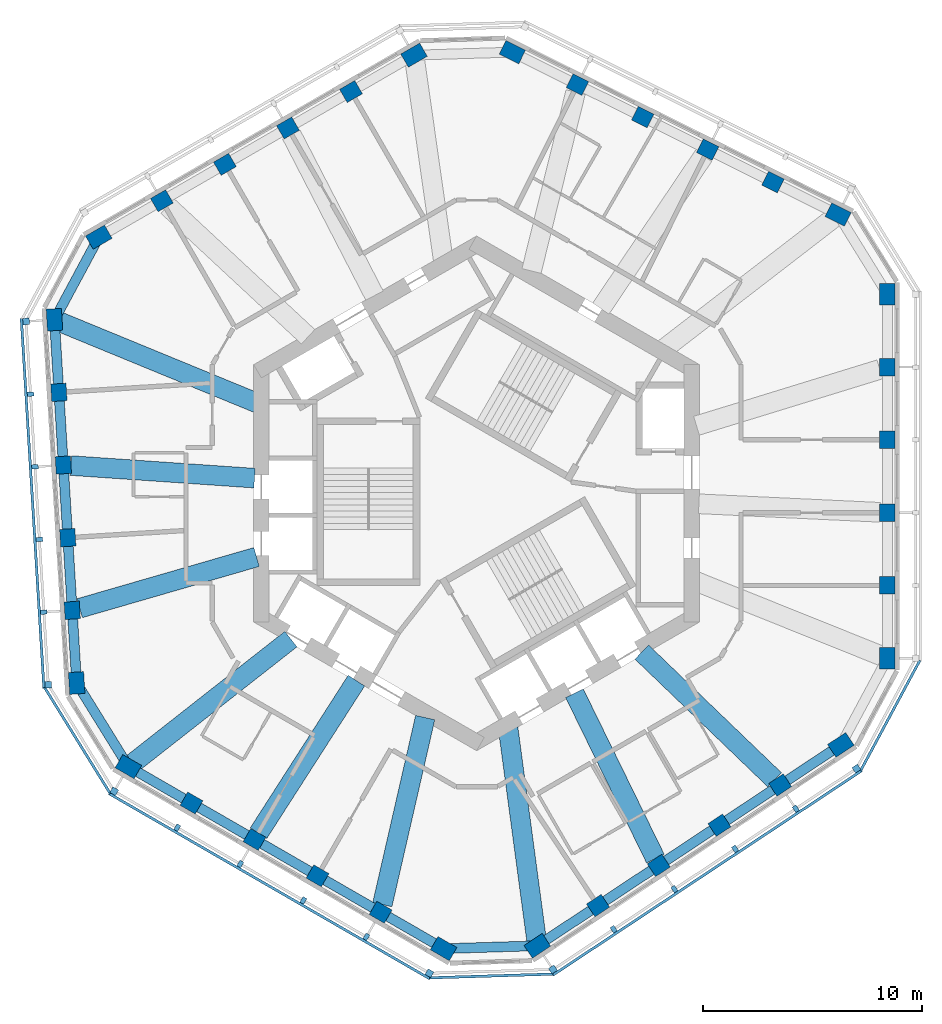
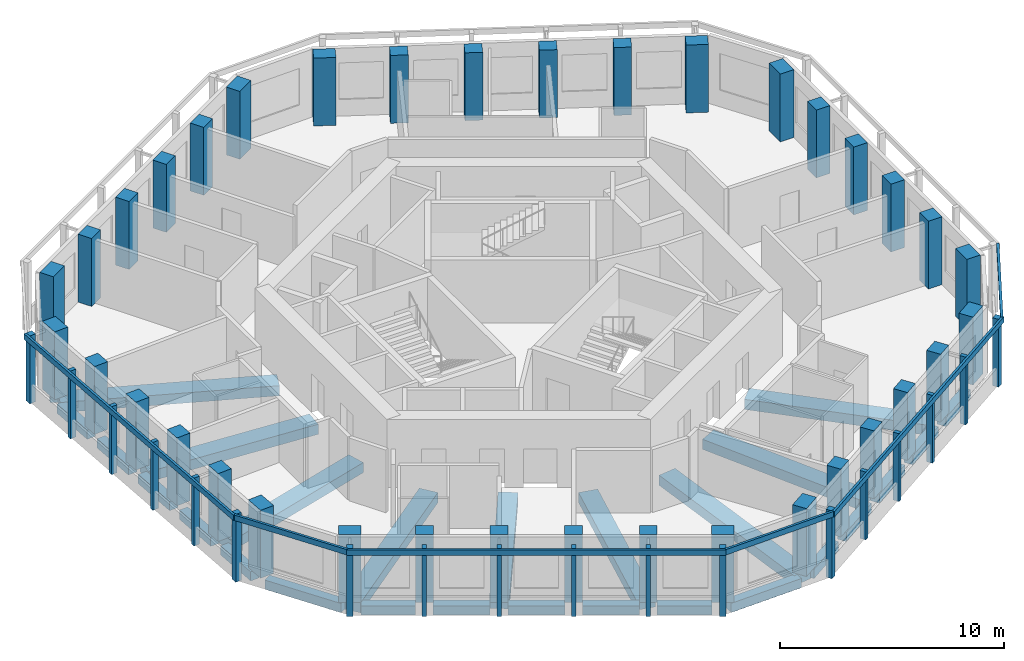
# One storey, part 1 of 11: 36 columns, 27 beams, 24 members, 6 elements without a shape of their own.
"""IFC4 building model written with IfcOpenShell, lengths in metres."""

from ifc_helpers import new_model, si_unit, direction, frame, origin, origin_2d, place, context, subcontext, project, spatial, rectangle, extrude, material, material_profile, profile_set, type_object, element, aggregate, save


model = new_model("IFC4")

# Units and contexts
model_context = context("Model", 3, precision=1e-05, world=origin(), true_north=direction((0.0, 1.0)))
body_context = subcontext(model_context, "Body", "Model", "MODEL_VIEW")
ifc_project = project(units=[si_unit("LENGTHUNIT", "METRE"), si_unit("AREAUNIT", "SQUARE_METRE"), si_unit("VOLUMEUNIT", "CUBIC_METRE"), si_unit("PLANEANGLEUNIT", "RADIAN"), si_unit("MASSUNIT", "GRAM", prefix="KILO")], contexts=[model_context])

# Site, building, storey
site_placement = place(None, origin())
site = spatial("IfcSite", under=ifc_project, at=site_placement, CompositionType="ELEMENT")
building_placement = place(site_placement, origin())
building = spatial("IfcBuilding", under=site, at=building_placement, Name="Vanh Sen Convention Tower", CompositionType="ELEMENT")
storey_placement = place(building_placement, frame((0.0, 0.0, 285.699951171875)))
storey = spatial("IfcBuildingStorey", under=building, at=storey_placement, Name="L70", CompositionType="ELEMENT", Elevation=285.699951171875)

# Columns
ifc_material_1 = material(Name="Concrete C60/75", Category="concrete")
ifc_material_profile_1 = material_profile(ifc_material_1, rectangle(XDim=0.800048828125, YDim=0.699951171875, at=origin_2d()), Name="RC 800X700")
ifc_profile_set_1 = profile_set([ifc_material_profile_1], Name="Concrete C60/75")
column_type_1 = type_object("IfcColumnType", Name="Facade column 800 x 700 C60/75", PredefinedType="COLUMN", material=ifc_profile_set_1)
for number, where, z_axis, x_axis, name in (
    (1, (18.800048828125, -4.215087890625, 0.0), (0.0, 0.0, 1.0), (0.0, 1.0, 0.0), "Facade column 02 L70"),
    (2, (18.800048828125, -0.88330078125, 0.0), (0.0, 0.0, 1.0), (0.0, 1.0, 0.0), "Facade column 03 L70"),
    (3, (18.800048828125, 2.4482421875, 0.0), (0.0, 0.0, 1.0), (0.0, 1.0, 0.0), "Facade column 04 L70"),
    (4, (18.800048828125, 5.77978515625, 0.0), (0.0, 0.0, 1.0), (0.0, 1.0, 0.0), "Facade column 05 L70"),
    (5, (13.56103515625, 14.245849609375, 0.0), (0.0, 0.0, 1.0), (-0.894934361602, 0.44619781311, 0.0), "Facade column 08 L70"),
    (6, (10.57958984375, 15.732421875, 0.0), (0.0, 0.0, 1.0), (-0.894934361602, 0.44619781311, 0.0), "Facade column 09 L70"),
    (7, (7.597900390625, 17.218994140625, 0.0), (0.0, 0.0, 1.0), (-0.894934361602, 0.44619781311, 0.0), "Facade column 10 L70"),
    (8, (4.6162109375, 18.70556640625, 0.0), (0.0, 0.0, 1.0), (-0.894934361602, 0.44619781311, 0.0), "Facade column 11 L70"),
    (9, (-5.74951171875, 18.388916015625, 0.0), (0.0, 0.0, 1.0), (-0.866025403784, -0.5, 0.0), "Facade column 14 L70"),
    (10, (-8.635009765625, 16.722900390625, 0.0), (0.0, 0.0, 1.0), (-0.866025403784, -0.5, 0.0), "Facade column 15 L70"),
    (11, (-11.520263671875, 15.05712890625, 0.0), (0.0, 0.0, 1.0), (-0.866025403784, -0.5, 0.0), "Facade column 16 L70"),
    (12, (-14.405517578125, 13.391357421875, 0.0), (0.0, 0.0, 1.0), (-0.866025403784, -0.5, 0.0), "Facade column 17 L70"),
    (13, (-19.117919921875, 4.621337890625, 0.0), (0.0, 0.0, 1.0), (0.061048539535, -0.998134798422, 0.0), "Facade column 20 L70"),
    (14, (-18.914306640625, 1.2958984375, 0.0), (0.0, 0.0, 1.0), (0.061048539535, -0.998134798422, 0.0), "Facade column 21 L70"),
    (15, (-18.7109375, -2.029541015625, 0.0), (0.0, 0.0, 1.0), (0.061048539535, -0.998134798422, 0.0), "Facade column 22 L70"),
    (16, (-18.507568359375, -5.35498046875, 0.0), (0.0, 0.0, 1.0), (0.061048539535, -0.998134798422, 0.0), "Facade column 23 L70"),
    (17, (-13.05029296875, -14.173583984375, 0.0), (0.0, 0.0, 1.0), (0.866025403784, -0.5, 0.0), "Facade column 26 L70"),
    (18, (-10.1650390625, -15.839599609375, 0.0), (0.0, 0.0, 1.0), (0.866025403784, -0.5, 0.0), "Facade column 27 L70"),
    (19, (-7.27978515625, -17.50537109375, 0.0), (0.0, 0.0, 1.0), (0.866025403784, -0.5, 0.0), "Facade column 28 L70"),
    (20, (-4.39453125, -19.171142578125, 0.0), (0.0, 0.0, 1.0), (0.866025403784, -0.5, 0.0), "Facade column 29 L70"),
    (21, (5.556640625, -18.8671875, 0.0), (0.0, 0.0, 1.0), (0.833885822067, 0.551936985312, 0.0), "Facade column 32 L70"),
    (22, (8.3349609375, -17.0283203125, 0.0), (0.0, 0.0, 1.0), (0.833885822067, 0.551936985312, 0.0), "Facade column 33 L70"),
    (23, (11.113037109375, -15.189453125, 0.0), (0.0, 0.0, 1.0), (0.833885822067, 0.551936985312, 0.0), "Facade column 34 L70"),
    (24, (13.891357421875, -13.3505859375, 0.0), (0.0, 0.0, 1.0), (0.833885822067, 0.551936985312, 0.0), "Facade column 35 L70"),
):
    element("IfcColumn", number, at=place(storey_placement, frame(where, z_axis=z_axis, x_axis=x_axis)), inside=storey, type_object=column_type_1, Name=name, PredefinedType="COLUMN", context=body_context, shape_type="SweptSolid", body=[
        extrude(rectangle(XDim=0.800048828125, YDim=0.699951171875, at=origin_2d()), origin(), (0.0, 0.0, 1.0), 3.699951171875),
    ])
ifc_material_profile_2 = material_profile(ifc_material_1, rectangle(XDim=1.0, YDim=0.699951171875, at=origin_2d()), Name="RC 1000X700")
ifc_profile_set_2 = profile_set([ifc_material_profile_2], Name="Concrete C60/75")
column_type_2 = type_object("IfcColumnType", Name="Facade corner column 1000 x 700 C60/75", PredefinedType="COLUMN", material=ifc_profile_set_2)
for number, where, z_axis, x_axis, name in (
    (25, (18.800048828125, -7.546630859375, 0.0), (0.0, 0.0, 1.0), (0.0, 1.0, 0.0), "Facade column 01 L70"),
    (26, (18.800048828125, 9.111572265625, 0.0), (0.0, 0.0, 1.0), (0.0, 1.0, 0.0), "Facade column 06 L70"),
    (27, (16.542724609375, 12.75927734375, 0.0), (0.0, 0.0, 1.0), (-0.894934361602, 0.44619781311, 0.0), "Facade column 07 L70"),
    (28, (1.634765625, 20.192138671875, 0.0), (0.0, 0.0, 1.0), (-0.894934361602, 0.44619781311, 0.0), "Facade column 12 L70"),
    (29, (-2.8642578125, 20.0546875, 0.0), (0.0, 0.0, 1.0), (-0.866025403784, -0.5, 0.0), "Facade column 13 L70"),
    (30, (-17.290771484375, 11.7255859375, 0.0), (0.0, 0.0, 1.0), (-0.866025403784, -0.5, 0.0), "Facade column 18 L70"),
    (31, (-19.3212890625, 7.94677734375, 0.0), (0.0, 0.0, 1.0), (0.061048539535, -0.998134798422, 0.0), "Facade column 19 L70"),
    (32, (-18.30419921875, -8.680419921875, 0.0), (0.0, 0.0, 1.0), (0.061048539535, -0.998134798422, 0.0), "Facade column 24 L70"),
    (33, (-15.935791015625, -12.5078125, 0.0), (0.0, 0.0, 1.0), (0.866025403784, -0.5, 0.0), "Facade column 25 L70"),
    (34, (-1.50927734375, -20.8369140625, 0.0), (0.0, 0.0, 1.0), (0.866025403784, -0.5, 0.0), "Facade column 30 L70"),
    (35, (2.7783203125, -20.7060546875, 0.0), (0.0, 0.0, 1.0), (0.833885822067, 0.551936985312, 0.0), "Facade column 31 L70"),
    (36, (16.66943359375, -11.51171875, 0.0), (0.0, 0.0, 1.0), (0.833885822067, 0.551936985312, 0.0), "Facade column 36 L70"),
):
    element("IfcColumn", number, at=place(storey_placement, frame(where, z_axis=z_axis, x_axis=x_axis)), inside=storey, type_object=column_type_2, Name=name, PredefinedType="COLUMN", context=body_context, shape_type="SweptSolid", body=[
        extrude(rectangle(XDim=1.0, YDim=0.699951171875, at=origin_2d()), origin(), (0.0, 0.0, 1.0), 3.699951171875),
    ])

# Curtain wall, members
ifc_material_2 = material(Name="Concrete C50/60", Category="concrete")
curtain_wall_type = type_object("IfcCurtainWallType", Name="Outer skin office zone", PredefinedType="NOTDEFINED", material=ifc_material_2)
curtain_wall_1_placement = place(storey_placement, origin())
curtain_wall_1 = element("IfcCurtainWall", 37, at=curtain_wall_1_placement, inside=storey, type_object=curtain_wall_type, Name="OUTER SKIN W L70", PredefinedType="NOTDEFINED")
ifc_material_profile_3 = material_profile(ifc_material_2, rectangle(XDim=0.300048828125, YDim=0.300048828125, at=origin_2d()), Name="Outer skin precast corner fin 300 x 300")
ifc_profile_set_3 = profile_set([ifc_material_profile_3], Name="Concrete C50/60")
member_type_1 = type_object("IfcMemberType", Name="Outer skin precast corner fin 300 x 300", PredefinedType="MULLION", material=ifc_profile_set_3)
member_1_placement = place(storey_placement, frame((-20.618896484375, 7.867431640625, 0.0), z_axis=(0.0, 0.0, 1.0), x_axis=(0.061048539535, -0.998134798422, 0.0)))
member_1 = element("IfcMember", 38, at=member_1_placement, type_object=member_type_1, Name="OUTER SKIN CORNER FIN 1 W L70", PredefinedType="MULLION", context=body_context, shape_type="SweptSolid", body=[
    extrude(rectangle(XDim=0.300048828125, YDim=0.300048828125, at=origin_2d()), origin(), (0.0, 0.0, 1.0), 3.699951171875),
])
member_2_placement = place(storey_placement, frame((-19.601806640625, -8.759765625, 0.0), z_axis=(0.0, 0.0, 1.0), x_axis=(0.061048539535, -0.998134798422, 0.0)))
member_2 = element("IfcMember", 39, at=member_2_placement, type_object=member_type_1, Name="OUTER SKIN CORNER FIN 6 W L70", PredefinedType="MULLION", context=body_context, shape_type="SweptSolid", body=[
    extrude(rectangle(XDim=0.300048828125, YDim=0.300048828125, at=origin_2d()), origin(), (0.0, 0.0, 1.0), 3.699951171875),
])

curtain_wall_2_placement = place(storey_placement, origin())
curtain_wall_2 = element("IfcCurtainWall", 40, at=curtain_wall_2_placement, inside=storey, type_object=curtain_wall_type, Name="OUTER SKIN SW L70", PredefinedType="NOTDEFINED")
member_3_placement = place(storey_placement, frame((-16.585693359375, -13.6337890625, 0.0), z_axis=(0.0, 0.0, 1.0), x_axis=(0.866025403784, -0.5, 0.0)))
member_3 = element("IfcMember", 41, at=member_3_placement, type_object=member_type_1, Name="OUTER SKIN CORNER FIN 1 SW L70", PredefinedType="MULLION", context=body_context, shape_type="SweptSolid", body=[
    extrude(rectangle(XDim=0.300048828125, YDim=0.300048828125, at=origin_2d()), origin(), (0.0, 0.0, 1.0), 3.699951171875),
])
member_4_placement = place(storey_placement, frame((-2.1591796875, -21.962890625, 0.0), z_axis=(0.0, 0.0, 1.0), x_axis=(0.866025403784, -0.5, 0.0)))
member_4 = element("IfcMember", 42, at=member_4_placement, type_object=member_type_1, Name="OUTER SKIN CORNER FIN 6 SW L70", PredefinedType="MULLION", context=body_context, shape_type="SweptSolid", body=[
    extrude(rectangle(XDim=0.300048828125, YDim=0.300048828125, at=origin_2d()), origin(), (0.0, 0.0, 1.0), 3.699951171875),
])

curtain_wall_3_placement = place(storey_placement, origin())
curtain_wall_3 = element("IfcCurtainWall", 43, at=curtain_wall_3_placement, inside=storey, type_object=curtain_wall_type, Name="OUTER SKIN SE L70", PredefinedType="NOTDEFINED")
member_5_placement = place(storey_placement, frame((3.495849609375, -21.7900390625, 0.0), z_axis=(0.0, 0.0, 1.0), x_axis=(0.833885822067, 0.551936985312, 0.0)))
member_5 = element("IfcMember", 44, at=member_5_placement, type_object=member_type_1, Name="OUTER SKIN CORNER FIN 1 SE L70", PredefinedType="MULLION", context=body_context, shape_type="SweptSolid", body=[
    extrude(rectangle(XDim=0.300048828125, YDim=0.300048828125, at=origin_2d()), origin(), (0.0, 0.0, 1.0), 3.699951171875),
])
member_6_placement = place(storey_placement, frame((17.386962890625, -12.595703125, 0.0), z_axis=(0.0, 0.0, 1.0), x_axis=(0.833885822067, 0.551936985312, 0.0)))
member_6 = element("IfcMember", 45, at=member_6_placement, type_object=member_type_1, Name="OUTER SKIN CORNER FIN 6 SE L70", PredefinedType="MULLION", context=body_context, shape_type="SweptSolid", body=[
    extrude(rectangle(XDim=0.300048828125, YDim=0.300048828125, at=origin_2d()), origin(), (0.0, 0.0, 1.0), 3.699951171875),
])

# Member
ifc_material_profile_4 = material_profile(ifc_material_2, rectangle(XDim=0.199951171875, YDim=0.300048828125, at=origin_2d()), Name="Outer skin precast fin 200 x 300")
ifc_profile_set_4 = profile_set([ifc_material_profile_4], Name="Concrete C50/60")
member_type_2 = type_object("IfcMemberType", Name="Outer skin precast fin 200 x 300", PredefinedType="MULLION", material=ifc_profile_set_4)
member_7_placement = place(storey_placement, frame((-20.415283203125, 4.5419921875, 0.0), z_axis=(0.0, 0.0, 1.0), x_axis=(0.061048539535, -0.998134798422, 0.0)))
member_7 = element("IfcMember", 46, at=member_7_placement, type_object=member_type_2, Name="OUTER SKIN fin 2 W L70", PredefinedType="MULLION", context=body_context, shape_type="SweptSolid", body=[
    extrude(rectangle(XDim=0.199951171875, YDim=0.300048828125, at=origin_2d()), origin(), (0.0, 0.0, 1.0), 3.699951171875),
])

member_8_placement = place(storey_placement, frame((-20.2119140625, 1.216552734375, 0.0), z_axis=(0.0, 0.0, 1.0), x_axis=(0.061048539535, -0.998134798422, 0.0)))
member_8 = element("IfcMember", 47, at=member_8_placement, type_object=member_type_2, Name="OUTER SKIN fin 3 W L70", PredefinedType="MULLION", context=body_context, shape_type="SweptSolid", body=[
    extrude(rectangle(XDim=0.199951171875, YDim=0.300048828125, at=origin_2d()), origin(), (0.0, 0.0, 1.0), 3.699951171875),
])

member_9_placement = place(storey_placement, frame((-20.008544921875, -2.10888671875, 0.0), z_axis=(0.0, 0.0, 1.0), x_axis=(0.061048539535, -0.998134798422, 0.0)))
member_9 = element("IfcMember", 48, at=member_9_placement, type_object=member_type_2, Name="OUTER SKIN fin 4 W L70", PredefinedType="MULLION", context=body_context, shape_type="SweptSolid", body=[
    extrude(rectangle(XDim=0.199951171875, YDim=0.300048828125, at=origin_2d()), origin(), (0.0, 0.0, 1.0), 3.699951171875),
])

member_10_placement = place(storey_placement, frame((-19.80517578125, -5.434326171875, 0.0), z_axis=(0.0, 0.0, 1.0), x_axis=(0.061048539535, -0.998134798422, 0.0)))
member_10 = element("IfcMember", 49, at=member_10_placement, type_object=member_type_2, Name="OUTER SKIN fin 5 W L70", PredefinedType="MULLION", context=body_context, shape_type="SweptSolid", body=[
    extrude(rectangle(XDim=0.199951171875, YDim=0.300048828125, at=origin_2d()), origin(), (0.0, 0.0, 1.0), 3.699951171875),
])

member_11_placement = place(storey_placement, frame((-13.700439453125, -15.299560546875, 0.0), z_axis=(0.0, 0.0, 1.0), x_axis=(0.866025403784, -0.5, 0.0)))
member_11 = element("IfcMember", 50, at=member_11_placement, type_object=member_type_2, Name="OUTER SKIN fin 2 SW L70", PredefinedType="MULLION", context=body_context, shape_type="SweptSolid", body=[
    extrude(rectangle(XDim=0.199951171875, YDim=0.300048828125, at=origin_2d()), origin(), (0.0, 0.0, 1.0), 3.699951171875),
])

member_12_placement = place(storey_placement, frame((-10.815185546875, -16.96533203125, 0.0), z_axis=(0.0, 0.0, 1.0), x_axis=(0.866025403784, -0.5, 0.0)))
member_12 = element("IfcMember", 51, at=member_12_placement, type_object=member_type_2, Name="OUTER SKIN fin 3 SW L70", PredefinedType="MULLION", context=body_context, shape_type="SweptSolid", body=[
    extrude(rectangle(XDim=0.199951171875, YDim=0.300048828125, at=origin_2d()), origin(), (0.0, 0.0, 1.0), 3.699951171875),
])

member_13_placement = place(storey_placement, frame((-7.9296875, -18.631103515625, 0.0), z_axis=(0.0, 0.0, 1.0), x_axis=(0.866025403784, -0.5, 0.0)))
member_13 = element("IfcMember", 52, at=member_13_placement, type_object=member_type_2, Name="OUTER SKIN fin 4 SW L70", PredefinedType="MULLION", context=body_context, shape_type="SweptSolid", body=[
    extrude(rectangle(XDim=0.199951171875, YDim=0.300048828125, at=origin_2d()), origin(), (0.0, 0.0, 1.0), 3.699951171875),
])

member_14_placement = place(storey_placement, frame((-5.04443359375, -20.297119140625, 0.0), z_axis=(0.0, 0.0, 1.0), x_axis=(0.866025403784, -0.5, 0.0)))
member_14 = element("IfcMember", 53, at=member_14_placement, type_object=member_type_2, Name="OUTER SKIN fin 5 SW L70", PredefinedType="MULLION", context=body_context, shape_type="SweptSolid", body=[
    extrude(rectangle(XDim=0.199951171875, YDim=0.300048828125, at=origin_2d()), origin(), (0.0, 0.0, 1.0), 3.699951171875),
])

member_15_placement = place(storey_placement, frame((6.274169921875, -19.951416015625, 0.0), z_axis=(0.0, 0.0, 1.0), x_axis=(0.833885822067, 0.551936985312, 0.0)))
member_15 = element("IfcMember", 54, at=member_15_placement, type_object=member_type_2, Name="OUTER SKIN fin 2 SE L70", PredefinedType="MULLION", context=body_context, shape_type="SweptSolid", body=[
    extrude(rectangle(XDim=0.199951171875, YDim=0.300048828125, at=origin_2d()), origin(), (0.0, 0.0, 1.0), 3.699951171875),
])

member_16_placement = place(storey_placement, frame((9.052490234375, -18.1123046875, 0.0), z_axis=(0.0, 0.0, 1.0), x_axis=(0.833885822067, 0.551936985312, 0.0)))
member_16 = element("IfcMember", 55, at=member_16_placement, type_object=member_type_2, Name="OUTER SKIN fin 3 SE L70", PredefinedType="MULLION", context=body_context, shape_type="SweptSolid", body=[
    extrude(rectangle(XDim=0.199951171875, YDim=0.300048828125, at=origin_2d()), origin(), (0.0, 0.0, 1.0), 3.699951171875),
])

member_17_placement = place(storey_placement, frame((11.83056640625, -16.273681640625, 0.0), z_axis=(0.0, 0.0, 1.0), x_axis=(0.833885822067, 0.551936985312, 0.0)))
member_17 = element("IfcMember", 56, at=member_17_placement, type_object=member_type_2, Name="OUTER SKIN fin 4 SE L70", PredefinedType="MULLION", context=body_context, shape_type="SweptSolid", body=[
    extrude(rectangle(XDim=0.199951171875, YDim=0.300048828125, at=origin_2d()), origin(), (0.0, 0.0, 1.0), 3.699951171875),
])

member_18_placement = place(storey_placement, frame((14.60888671875, -14.434814453125, 0.0), z_axis=(0.0, 0.0, 1.0), x_axis=(0.833885822067, 0.551936985312, 0.0)))
member_18 = element("IfcMember", 57, at=member_18_placement, type_object=member_type_2, Name="OUTER SKIN fin 5 SE L70", PredefinedType="MULLION", context=body_context, shape_type="SweptSolid", body=[
    extrude(rectangle(XDim=0.199951171875, YDim=0.300048828125, at=origin_2d()), origin(), (0.0, 0.0, 1.0), 3.699951171875),
])

ifc_material_profile_5 = material_profile(ifc_material_2, rectangle(XDim=0.1201171875, YDim=0.300048828125, at=origin_2d()), Name="Outer skin precast spandrel band 300 x 120")
ifc_profile_set_5 = profile_set([ifc_material_profile_5], Name="Concrete C50/60")
member_type_3 = type_object("IfcMemberType", Name="Outer skin precast spandrel band 300 x 120", PredefinedType="USERDEFINED", material=ifc_profile_set_5)
member_19_placement = place(storey_placement, frame((-20.83740234375, 8.00439453125, 3.550048828125), z_axis=(0.061040984027, -0.998135260508, 0.0), x_axis=(0.998135260508, 0.061040984027, 0.0)))
member_19 = element("IfcMember", 58, at=member_19_placement, type_object=member_type_3, Name="OUTER SKIN spandrel band W L70", ObjectType="TRANSOM", PredefinedType="USERDEFINED", context=body_context, shape_type="SweptSolid", body=[
    extrude(rectangle(XDim=0.1201171875, YDim=0.300048828125, at=origin_2d()), origin(), (0.0, 0.0, 1.0), 16.95849609375),
])

aggregate(curtain_wall_1, [member_1, member_7, member_8, member_9, member_10, member_2, member_19])

# Curtain wall, member
curtain_wall_4_placement = place(storey_placement, origin())
curtain_wall_4 = element("IfcCurtainWall", 59, at=curtain_wall_4_placement, inside=storey, type_object=curtain_wall_type, Name="OUTER SKIN CH4 L70", PredefinedType="NOTDEFINED")
member_20_placement = place(storey_placement, frame((-19.7802734375, -8.870361328125, 3.550048828125), z_axis=(0.526199162152, -0.850361359512, 0.0), x_axis=(0.850361359512, 0.526199162152, 0.0)))
member_20 = element("IfcMember", 60, at=member_20_placement, type_object=member_type_3, Name="OUTER SKIN spandrel band CH4 L70", ObjectType="TRANSOM", PredefinedType="USERDEFINED", context=body_context, shape_type="SweptSolid", body=[
    extrude(rectangle(XDim=0.1201171875, YDim=0.300048828125, at=origin_2d()), origin(), (0.0, 0.0, 1.0), 5.7314453125),
])
aggregate(curtain_wall_4, [member_20])

# Member
member_21_placement = place(storey_placement, frame((-16.820556640625, -13.740478515625, 3.550048828125), z_axis=(0.866022320763, -0.500005339912, 0.0), x_axis=(0.500005339912, 0.866022320763, 0.0)))
member_21 = element("IfcMember", 61, at=member_21_placement, type_object=member_type_3, Name="OUTER SKIN spandrel band SW L70", ObjectType="TRANSOM", PredefinedType="USERDEFINED", context=body_context, shape_type="SweptSolid", body=[
    extrude(rectangle(XDim=0.1201171875, YDim=0.300048828125, at=origin_2d()), origin(), (0.0, 0.0, 1.0), 16.958251953125),
])

aggregate(curtain_wall_2, [member_3, member_11, member_12, member_13, member_14, member_4, member_21])

# Curtain wall, member
curtain_wall_5_placement = place(storey_placement, origin())
curtain_wall_5 = element("IfcCurtainWall", 62, at=curtain_wall_5_placement, inside=storey, type_object=curtain_wall_type, Name="OUTER SKIN CH5 L70", PredefinedType="NOTDEFINED")
member_22_placement = place(storey_placement, frame((-2.15283203125, -22.172607421875, 3.550048828125), z_axis=(0.999534504066, 0.030508608314, 0.0), x_axis=(-0.030508608314, 0.999534504066, 0.0)))
member_22 = element("IfcMember", 63, at=member_22_placement, type_object=member_type_3, Name="OUTER SKIN spandrel band CH5 L70", ObjectType="TRANSOM", PredefinedType="USERDEFINED", context=body_context, shape_type="SweptSolid", body=[
    extrude(rectangle(XDim=0.1201171875, YDim=0.300048828125, at=origin_2d()), origin(), (0.0, 0.0, 1.0), 5.65771484375),
])
aggregate(curtain_wall_5, [member_22])

# Member
member_23_placement = place(storey_placement, frame((3.48681640625, -22.048095703125, 3.550048828125), z_axis=(0.833877443168, 0.551949644239, 0.0), x_axis=(-0.551949644239, 0.833877443168, 0.0)))
member_23 = element("IfcMember", 64, at=member_23_placement, type_object=member_type_3, Name="OUTER SKIN spandrel band SE L70", ObjectType="TRANSOM", PredefinedType="USERDEFINED", context=body_context, shape_type="SweptSolid", body=[
    extrude(rectangle(XDim=0.1201171875, YDim=0.300048828125, at=origin_2d()), origin(), (0.0, 0.0, 1.0), 16.958251953125),
])

aggregate(curtain_wall_3, [member_5, member_15, member_16, member_17, member_18, member_6, member_23])

# Curtain wall, member
curtain_wall_6_placement = place(storey_placement, origin())
curtain_wall_6 = element("IfcCurtainWall", 65, at=curtain_wall_6_placement, inside=storey, type_object=curtain_wall_type, Name="OUTER SKIN CH6 L70", PredefinedType="NOTDEFINED")
member_24_placement = place(storey_placement, frame((17.572021484375, -12.695068359375, 3.550048828125), z_axis=(0.473309680768, 0.880896104028, 0.0), x_axis=(-0.880896104028, 0.473309680768, 0.0)))
member_24 = element("IfcMember", 66, at=member_24_placement, type_object=member_type_3, Name="OUTER SKIN spandrel band CH6 L70", ObjectType="TRANSOM", PredefinedType="USERDEFINED", context=body_context, shape_type="SweptSolid", body=[
    extrude(rectangle(XDim=0.1201171875, YDim=0.300048828125, at=origin_2d()), origin(), (0.0, 0.0, 1.0), 5.731689453125),
])
aggregate(curtain_wall_6, [member_24])

# Beams
ifc_material_3 = material(Name="Concrete C50/60", Category="concrete")
ifc_material_profile_6 = material_profile(ifc_material_3, rectangle(XDim=0.89990234375, YDim=0.550048828125, at=origin_2d()), Name="RC 900X550")
ifc_profile_set_6 = profile_set([ifc_material_profile_6], Name="Concrete C50/60")
beam_type_1 = type_object("IfcBeamType", Name="Radial floor beam 900 x 550", PredefinedType="BEAM", material=ifc_profile_set_6)
beam_1_placement = place(storey_placement, frame((-19.167724609375, 7.8837890625, -0.554931640625), z_axis=(0.924829402314, -0.3803821455, 0.0), x_axis=(0.3803821455, 0.924829402314, 0.0)))
element("IfcBeam", 67, at=beam_1_placement, inside=storey, type_object=beam_type_1, Name="Radial beam 10 L70", PredefinedType="BEAM", context=body_context, shape_type="SweptSolid", body=[
    extrude(rectangle(XDim=0.89990234375, YDim=0.550048828125, at=origin_2d()), origin(), (0.0, 0.0, 1.0), 9.88671875),
])
beam_2_placement = place(storey_placement, frame((-18.5673828125, 1.272216796875, -0.554931640625), z_axis=(0.997659532439, -0.068377315931, 0.0), x_axis=(0.068377315931, 0.997659532439, 0.0)))
element("IfcBeam", 68, at=beam_2_placement, inside=storey, type_object=beam_type_1, Name="Radial beam 11 L70", PredefinedType="BEAM", context=body_context, shape_type="SweptSolid", body=[
    extrude(rectangle(XDim=0.89990234375, YDim=0.550048828125, at=origin_2d()), origin(), (0.0, 0.0, 1.0), 8.4228515625),
])
beam_3_placement = place(storey_placement, frame((-18.16796875, -5.256591796875, -0.554931640625), z_axis=(0.960599472256, 0.277936420611, 0.0), x_axis=(-0.277936420611, 0.960599472256, 0.0)))
element("IfcBeam", 69, at=beam_3_placement, inside=storey, type_object=beam_type_1, Name="Radial beam 12 L70", PredefinedType="BEAM", context=body_context, shape_type="SweptSolid", body=[
    extrude(rectangle(XDim=0.89990234375, YDim=0.550048828125, at=origin_2d()), origin(), (0.0, 0.0, 1.0), 8.429931640625),
])
beam_4_placement = place(storey_placement, frame((-15.78515625, -12.3896484375, -0.554931640625), z_axis=(0.786634743009, 0.617418643298, 0.0), x_axis=(-0.617418643298, 0.786634743009, 0.0)))
element("IfcBeam", 70, at=beam_4_placement, inside=storey, type_object=beam_type_1, Name="Radial beam 13 L70", PredefinedType="BEAM", context=body_context, shape_type="SweptSolid", body=[
    extrude(rectangle(XDim=0.89990234375, YDim=0.550048828125, at=origin_2d()), origin(), (0.0, 0.0, 1.0), 9.26123046875),
])
beam_5_placement = place(storey_placement, frame((-9.978515625, -15.548828125, -0.554931640625), z_axis=(0.540099548454, 0.841601139353, 0.0), x_axis=(-0.841601139353, 0.540099548454, 0.0)))
element("IfcBeam", 71, at=beam_5_placement, inside=storey, type_object=beam_type_1, Name="Radial beam 14 L70", PredefinedType="BEAM", context=body_context, shape_type="SweptSolid", body=[
    extrude(rectangle(XDim=0.89990234375, YDim=0.550048828125, at=origin_2d()), origin(), (0.0, 0.0, 1.0), 8.290283203125),
])
beam_6_placement = place(storey_placement, frame((-4.313720703125, -18.819091796875, -0.554931640625), z_axis=(0.223415237432, 0.974723361618, 0.0), x_axis=(-0.974723361618, 0.223415237432, 0.0)))
element("IfcBeam", 72, at=beam_6_placement, inside=storey, type_object=beam_type_1, Name="Radial beam 15 L70", PredefinedType="BEAM", context=body_context, shape_type="SweptSolid", body=[
    extrude(rectangle(XDim=0.89990234375, YDim=0.550048828125, at=origin_2d()), origin(), (0.0, 0.0, 1.0), 8.779296875),
])
beam_7_placement = place(storey_placement, frame((2.75634765625, -20.54150390625, -0.554931640625), z_axis=(-0.133001541372, 0.991115830765, 0.0), x_axis=(-0.991115830765, -0.133001541372, 0.0)))
element("IfcBeam", 73, at=beam_7_placement, inside=storey, type_object=beam_type_1, Name="Radial beam 16 L70", PredefinedType="BEAM", context=body_context, shape_type="SweptSolid", body=[
    extrude(rectangle(XDim=0.89990234375, YDim=0.550048828125, at=origin_2d()), origin(), (0.0, 0.0, 1.0), 9.88671875),
])
beam_8_placement = place(storey_placement, frame((8.181884765625, -16.7158203125, -0.554931640625), z_axis=(-0.439626501915, 0.898180682722, 0.0), x_axis=(-0.898180682722, -0.439626501915, 0.0)))
element("IfcBeam", 74, at=beam_8_placement, inside=storey, type_object=beam_type_1, Name="Radial beam 17 L70", PredefinedType="BEAM", context=body_context, shape_type="SweptSolid", body=[
    extrude(rectangle(XDim=0.89990234375, YDim=0.550048828125, at=origin_2d()), origin(), (0.0, 0.0, 1.0), 8.4228515625),
])
beam_9_placement = place(storey_placement, frame((13.63623046875, -13.10546875, -0.554931640625), z_axis=(-0.720999445423, 0.692935638931, 0.0), x_axis=(-0.692935638931, -0.720999445423, 0.0)))
element("IfcBeam", 75, at=beam_9_placement, inside=storey, type_object=beam_type_1, Name="Radial beam 18 L70", PredefinedType="BEAM", context=body_context, shape_type="SweptSolid", body=[
    extrude(rectangle(XDim=0.89990234375, YDim=0.550048828125, at=origin_2d()), origin(), (0.0, 0.0, 1.0), 8.4296875),
])
ifc_material_profile_7 = material_profile(ifc_material_3, rectangle(XDim=0.449951171875, YDim=0.5, at=origin_2d()), Name="RC 450X500")
ifc_profile_set_7 = profile_set([ifc_material_profile_7], Name="Concrete C50/60")
beam_type_2 = type_object("IfcBeamType", Name="Spandrel beam 450 x 500", PredefinedType="SPANDREL", material=ifc_profile_set_7)
beam_10_placement = place(storey_placement, frame((-17.43115234375, 11.46435546875, -0.530029296875), z_axis=(-0.473331663196, -0.880884292411, 0.0), x_axis=(0.880884292411, -0.473331663196, 0.0)))
element("IfcBeam", 76, at=beam_10_placement, inside=storey, type_object=beam_type_2, Name="Spandrel beam 18 L70", PredefinedType="SPANDREL", context=body_context, shape_type="SweptSolid", body=[
    extrude(rectangle(XDim=0.449951171875, YDim=0.5, at=origin_2d()), origin(), (0.0, 0.0, 1.0), 3.69677734375),
])
beam_11_placement = place(storey_placement, frame((-19.291015625, 7.452880859375, -0.530029296875), z_axis=(0.061089734733, -0.998132277962, 0.0), x_axis=(0.998132277962, 0.061089734733, 0.0)))
element("IfcBeam", 77, at=beam_11_placement, inside=storey, type_object=beam_type_2, Name="Spandrel beam 19 L70", PredefinedType="SPANDREL", context=body_context, shape_type="SweptSolid", body=[
    extrude(rectangle(XDim=0.449951171875, YDim=0.5, at=origin_2d()), origin(), (0.0, 0.0, 1.0), 2.44189453125),
])
beam_12_placement = place(storey_placement, frame((-19.09375, 4.227294921875, -0.530029296875), z_axis=(0.061086629106, -0.998132468034, 0.0), x_axis=(0.998132468034, 0.061086629106, 0.0)))
element("IfcBeam", 78, at=beam_12_placement, inside=storey, type_object=beam_type_2, Name="Spandrel beam 20 L70", PredefinedType="SPANDREL", context=body_context, shape_type="SweptSolid", body=[
    extrude(rectangle(XDim=0.449951171875, YDim=0.5, at=origin_2d()), origin(), (0.0, 0.0, 1.0), 2.541748046875),
])
beam_13_placement = place(storey_placement, frame((-18.890380859375, 0.901611328125, -0.530029296875), z_axis=(0.061092485967, -0.998132109572, 0.0), x_axis=(0.998132109572, 0.061092485967, 0.0)))
element("IfcBeam", 79, at=beam_13_placement, inside=storey, type_object=beam_type_2, Name="Spandrel beam 21 L70", PredefinedType="SPANDREL", context=body_context, shape_type="SweptSolid", body=[
    extrude(rectangle(XDim=0.449951171875, YDim=0.5, at=origin_2d()), origin(), (0.0, 0.0, 1.0), 2.54150390625),
])
beam_14_placement = place(storey_placement, frame((-18.68701171875, -2.423583984375, -0.530029296875), z_axis=(0.061086629106, -0.998132468034, 0.0), x_axis=(0.998132468034, 0.061086629106, 0.0)))
element("IfcBeam", 80, at=beam_14_placement, inside=storey, type_object=beam_type_2, Name="Spandrel beam 22 L70", PredefinedType="SPANDREL", context=body_context, shape_type="SweptSolid", body=[
    extrude(rectangle(XDim=0.449951171875, YDim=0.5, at=origin_2d()), origin(), (0.0, 0.0, 1.0), 2.541748046875),
])
beam_15_placement = place(storey_placement, frame((-18.4833984375, -5.7490234375, -0.530029296875), z_axis=(0.060990123754, -0.998138369568, 0.0), x_axis=(0.998138369568, 0.060990123754, 0.0)))
element("IfcBeam", 81, at=beam_15_placement, inside=storey, type_object=beam_type_2, Name="Spandrel beam 23 L70", PredefinedType="SPANDREL", context=body_context, shape_type="SweptSolid", body=[
    extrude(rectangle(XDim=0.449951171875, YDim=0.5, at=origin_2d()), origin(), (0.0, 0.0, 1.0), 2.44189453125),
])
beam_16_placement = place(storey_placement, frame((-18.13818359375, -8.948974609375, -0.530029296875), z_axis=(0.526239495129, -0.850336400354, 0.0), x_axis=(0.850336400354, 0.526239495129, 0.0)))
element("IfcBeam", 82, at=beam_16_placement, inside=storey, type_object=beam_type_2, Name="Spandrel beam 24 L70", PredefinedType="SPANDREL", context=body_context, shape_type="SweptSolid", body=[
    extrude(rectangle(XDim=0.449951171875, YDim=0.5, at=origin_2d()), origin(), (0.0, 0.0, 1.0), 3.86962890625),
])
beam_17_placement = place(storey_placement, frame((-15.507080078125, -12.75537109375, -0.530029296875), z_axis=(0.866000753341, -0.500042693391, 0.0), x_axis=(0.500042693391, 0.866000753341, 0.0)))
element("IfcBeam", 83, at=beam_17_placement, inside=storey, type_object=beam_type_2, Name="Spandrel beam 25 L70", PredefinedType="SPANDREL", context=body_context, shape_type="SweptSolid", body=[
    extrude(rectangle(XDim=0.449951171875, YDim=0.5, at=origin_2d()), origin(), (0.0, 0.0, 1.0), 2.441650390625),
])
for number, where, z_axis, x_axis, name in (
    (84, (-12.708251953125, -14.37109375, -0.530029296875), (0.866000032975, -0.500043940957, 0.0), (0.500043940957, 0.866000032975, 0.0), "Spandrel beam 26 L70"),
    (85, (-9.822998046875, -16.037109375, -0.530029296875), (0.866041625918, -0.499971901387, 0.0), (0.499971901387, 0.866041625918, 0.0), "Spandrel beam 27 L70"),
    (86, (-6.937744140625, -17.702880859375, -0.530029296875), (0.866041625918, -0.499971901387, 0.0), (0.499971901387, 0.866041625918, 0.0), "Spandrel beam 28 L70"),
):
    element("IfcBeam", number, at=place(storey_placement, frame(where, z_axis=z_axis, x_axis=x_axis)), inside=storey, type_object=beam_type_2, Name=name, PredefinedType="SPANDREL", context=body_context, shape_type="SweptSolid", body=[
        extrude(rectangle(XDim=0.449951171875, YDim=0.5, at=origin_2d()), origin(), (0.0, 0.0, 1.0), 2.541748046875),
    ])
beam_18_placement = place(storey_placement, frame((-4.052490234375, -19.36865234375, -0.530029296875), z_axis=(0.866000753341, -0.500042693391, 0.0), x_axis=(0.500042693391, 0.866000753341, 0.0)))
element("IfcBeam", 87, at=beam_18_placement, inside=storey, type_object=beam_type_2, Name="Spandrel beam 29 L70", PredefinedType="SPANDREL", context=body_context, shape_type="SweptSolid", body=[
    extrude(rectangle(XDim=0.449951171875, YDim=0.5, at=origin_2d()), origin(), (0.0, 0.0, 1.0), 2.441650390625),
])
beam_19_placement = place(storey_placement, frame((-1.212890625, -20.827880859375, -0.530029296875), z_axis=(0.999534367719, 0.030513075055, 0.0), x_axis=(-0.030513075055, 0.999534367719, 0.0)))
element("IfcBeam", 88, at=beam_19_placement, inside=storey, type_object=beam_type_2, Name="Spandrel beam 30 L70", PredefinedType="SPANDREL", context=body_context, shape_type="SweptSolid", body=[
    extrude(rectangle(XDim=0.449951171875, YDim=0.5, at=origin_2d()), origin(), (0.0, 0.0, 1.0), 3.696533203125),
])
beam_20_placement = place(storey_placement, frame((3.191162109375, -20.432861328125, -0.530029296875), z_axis=(0.833891601137, 0.55192825399, 0.0), x_axis=(-0.55192825399, 0.833891601137, 0.0)))
element("IfcBeam", 89, at=beam_20_placement, inside=storey, type_object=beam_type_2, Name="Spandrel beam 31 L70", PredefinedType="SPANDREL", context=body_context, shape_type="SweptSolid", body=[
    extrude(rectangle(XDim=0.449951171875, YDim=0.5, at=origin_2d()), origin(), (0.0, 0.0, 1.0), 2.441650390625),
])
beam_21_placement = place(storey_placement, frame((5.885986328125, -18.649169921875, -0.530029296875), z_axis=(0.833907502564, 0.551904228257, 0.0), x_axis=(-0.551904228257, 0.833907502564, 0.0)))
element("IfcBeam", 90, at=beam_21_placement, inside=storey, type_object=beam_type_2, Name="Spandrel beam 32 L70", PredefinedType="SPANDREL", context=body_context, shape_type="SweptSolid", body=[
    extrude(rectangle(XDim=0.449951171875, YDim=0.5, at=origin_2d()), origin(), (0.0, 0.0, 1.0), 2.541748046875),
])
beam_22_placement = place(storey_placement, frame((8.664306640625, -16.810302734375, -0.530029296875), z_axis=(0.833878242334, 0.551948436868, 0.0), x_axis=(-0.551948436868, 0.833878242334, 0.0)))
element("IfcBeam", 91, at=beam_22_placement, inside=storey, type_object=beam_type_2, Name="Spandrel beam 33 L70", PredefinedType="SPANDREL", context=body_context, shape_type="SweptSolid", body=[
    extrude(rectangle(XDim=0.449951171875, YDim=0.5, at=origin_2d()), origin(), (0.0, 0.0, 1.0), 2.54150390625),
])
beam_23_placement = place(storey_placement, frame((11.4423828125, -14.971435546875, -0.530029296875), z_axis=(0.833907502564, 0.551904228257, 0.0), x_axis=(-0.551904228257, 0.833907502564, 0.0)))
element("IfcBeam", 92, at=beam_23_placement, inside=storey, type_object=beam_type_2, Name="Spandrel beam 34 L70", PredefinedType="SPANDREL", context=body_context, shape_type="SweptSolid", body=[
    extrude(rectangle(XDim=0.449951171875, YDim=0.5, at=origin_2d()), origin(), (0.0, 0.0, 1.0), 2.541748046875),
])
beam_24_placement = place(storey_placement, frame((14.220703125, -13.132568359375, -0.530029296875), z_axis=(0.833861138807, 0.551974275838, 0.0), x_axis=(-0.551974275838, 0.833861138807, 0.0)))
element("IfcBeam", 93, at=beam_24_placement, inside=storey, type_object=beam_type_2, Name="Spandrel beam 35 L70", PredefinedType="SPANDREL", context=body_context, shape_type="SweptSolid", body=[
    extrude(rectangle(XDim=0.449951171875, YDim=0.5, at=origin_2d()), origin(), (0.0, 0.0, 1.0), 2.44140625),
])

save(model, "model.ifc")
